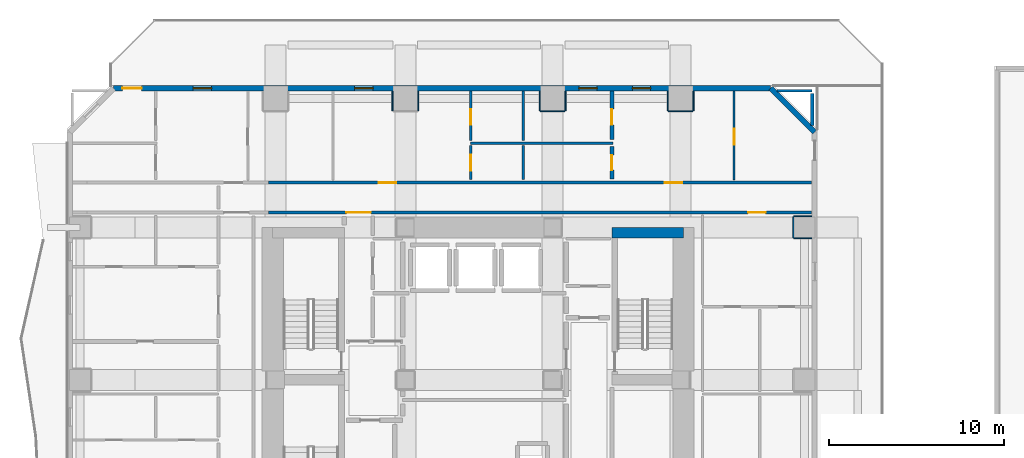
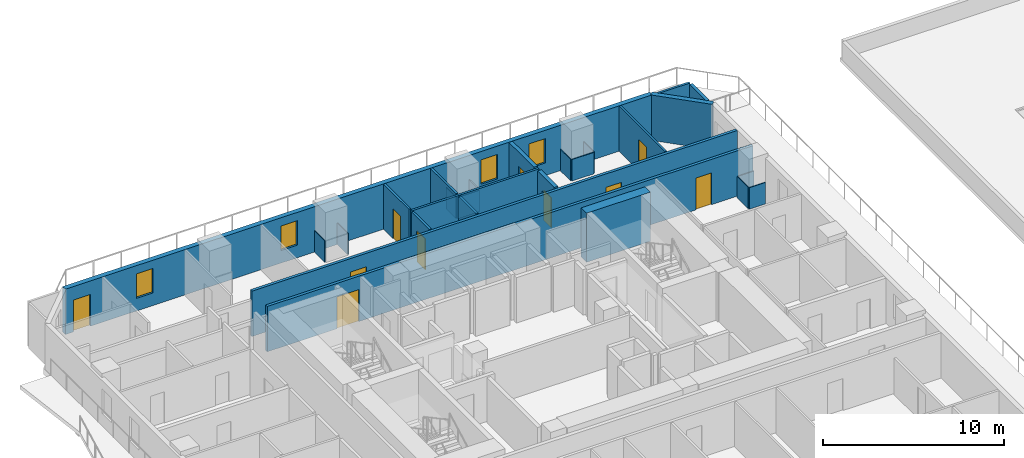
# One storey, part 8 of 13: 26 walls, 10 doors, 4 windows, 14 openings.
"""IFC4 building model written with IfcOpenShell, lengths in metres."""

from ifc_helpers import new_model, si_unit, direction, frame, frame_2d, origin, place, context, subcontext, project, spatial, rectangle, extrude, material, layer, layer_set, type_object, element, fill, save


model = new_model("IFC4")

# Units and contexts
model_context = context("Model", 3, precision=1e-05, world=origin(), true_north=direction((0.0, 1.0)))
body_context = subcontext(model_context, "Body", "Model", "MODEL_VIEW")
ifc_project = project(units=[si_unit("LENGTHUNIT", "METRE"), si_unit("AREAUNIT", "SQUARE_METRE"), si_unit("VOLUMEUNIT", "CUBIC_METRE"), si_unit("PLANEANGLEUNIT", "RADIAN"), si_unit("MASSUNIT", "GRAM", prefix="KILO")], contexts=[model_context])

# Site, building, storey
site_placement = place(None, origin())
site = spatial("IfcSite", under=ifc_project, at=site_placement, CompositionType="ELEMENT")
building_placement = place(site_placement, origin())
building = spatial("IfcBuilding", under=site, at=building_placement, Name="Solanera Arch Residences", CompositionType="ELEMENT")
storey_placement = place(building_placement, frame((0.0, 0.0, 22.0)))
storey = spatial("IfcBuildingStorey", under=building, at=storey_placement, Name="L05", CompositionType="ELEMENT", Elevation=22.0)

# Walls
ifc_material_1 = material(Name="Fire-Rated Gypsum Stud Partition", Category="gypsum")
ifc_layer_1 = layer(ifc_material_1, 0.06005859375)
ifc_layer_set_1 = layer_set([ifc_layer_1], Name="Fire-Rated Gypsum Stud Partition")
wall_type_1 = type_object("IfcWallType", Name="Column Acoustic Furring Wall 60", PredefinedType="PARTITIONING", material=ifc_layer_set_1)
for number, where, z_axis, x_axis, name in (
    (1, (20.068115234375, 46.050048828125, 0.0), (0.0, 0.0, 1.0), (0.0, 1.0, 0.0), "L05 Column Furring 12W"),
    (2, (21.531982421875, 46.050048828125, 0.0), (0.0, 0.0, 1.0), (0.0, 1.0, 0.0), "L05 Column Furring 12E"),
):
    element("IfcWall", number, at=place(storey_placement, frame(where, z_axis=z_axis, x_axis=x_axis)), inside=storey, type_object=wall_type_1, Name=name, PredefinedType="PARTITIONING", context=body_context, shape_type="SweptSolid", body=[
        extrude(rectangle(XDim=1.119873046875, YDim=0.06005859375, at=frame_2d((0.56005859375, 0.0))), origin(), (0.0, 0.0, 1.0), 1.449951171875),
    ])
wall_1_placement = place(storey_placement, frame((28.5, 46.01806640625, 0.0), z_axis=(0.0, 0.0, 1.0), x_axis=(1.0, 0.0, 0.0)))
element("IfcWall", 3, at=wall_1_placement, inside=storey, type_object=wall_type_1, Name="L05 Column Furring 14S", PredefinedType="PARTITIONING", context=body_context, shape_type="SweptSolid", body=[
    extrude(rectangle(XDim=1.39990234375, YDim=0.06005859375, at=frame_2d((0.699951171875, 0.0))), origin(), (0.0, 0.0, 1.0), 1.449951171875),
])
for number, where, z_axis, x_axis, name in (
    (4, (28.468017578125, 46.050048828125, 0.0), (0.0, 0.0, 1.0), (0.0, 1.0, 0.0), "L05 Column Furring 14W"),
    (5, (29.931884765625, 46.050048828125, 0.0), (0.0, 0.0, 1.0), (0.0, 1.0, 0.0), "L05 Column Furring 14E"),
):
    element("IfcWall", number, at=place(storey_placement, frame(where, z_axis=z_axis, x_axis=x_axis)), inside=storey, type_object=wall_type_1, Name=name, PredefinedType="PARTITIONING", context=body_context, shape_type="SweptSolid", body=[
        extrude(rectangle(XDim=1.119873046875, YDim=0.06005859375, at=frame_2d((0.56005859375, 0.0))), origin(), (0.0, 0.0, 1.0), 1.449951171875),
    ])
wall_2_placement = place(storey_placement, frame((35.800048828125, 46.01806640625, 0.0), z_axis=(0.0, 0.0, 1.0), x_axis=(1.0, 0.0, 0.0)))
element("IfcWall", 6, at=wall_2_placement, inside=storey, type_object=wall_type_1, Name="L05 Column Furring 16S", PredefinedType="PARTITIONING", context=body_context, shape_type="SweptSolid", body=[
    extrude(rectangle(XDim=1.39990234375, YDim=0.06005859375, at=frame_2d((0.699951171875, 0.0))), origin(), (0.0, 0.0, 1.0), 1.449951171875),
])
for number, where, z_axis, x_axis, name in (
    (7, (35.76806640625, 46.050048828125, 0.0), (0.0, 0.0, 1.0), (0.0, 1.0, 0.0), "L05 Column Furring 16W"),
    (8, (37.23193359375, 46.050048828125, 0.0), (0.0, 0.0, 1.0), (0.0, 1.0, 0.0), "L05 Column Furring 16E"),
):
    element("IfcWall", number, at=place(storey_placement, frame(where, z_axis=z_axis, x_axis=x_axis)), inside=storey, type_object=wall_type_1, Name=name, PredefinedType="PARTITIONING", context=body_context, shape_type="SweptSolid", body=[
        extrude(rectangle(XDim=1.119873046875, YDim=0.06005859375, at=frame_2d((0.56005859375, 0.0))), origin(), (0.0, 0.0, 1.0), 1.449951171875),
    ])
for number, where, z_axis, x_axis, name in (
    (9, (42.949951171875, 38.76806640625, 0.0), (0.0, 0.0, 1.0), (1.0, 0.0, 0.0), "L05 Column Furring 22S"),
    (10, (42.949951171875, 40.031982421875, 0.0), (0.0, 0.0, 1.0), (1.0, 0.0, 0.0), "L05 Column Furring 22N"),
):
    element("IfcWall", number, at=place(storey_placement, frame(where, z_axis=z_axis, x_axis=x_axis)), inside=storey, type_object=wall_type_1, Name=name, PredefinedType="PARTITIONING", context=body_context, shape_type="SweptSolid", body=[
        extrude(rectangle(XDim=1.02001953125, YDim=0.06005859375, at=frame_2d((0.510009765625, 0.0))), origin(), (0.0, 0.0, 1.0), 1.449951171875),
    ])
wall_3_placement = place(storey_placement, frame((42.91796875, 38.800048828125, 0.0), z_axis=(0.0, 0.0, 1.0), x_axis=(0.0, 1.0, 0.0)))
element("IfcWall", 11, at=wall_3_placement, inside=storey, type_object=wall_type_1, Name="L05 Column Furring 22W", PredefinedType="PARTITIONING", context=body_context, shape_type="SweptSolid", body=[
    extrude(rectangle(XDim=1.199951171875, YDim=0.06005859375, at=frame_2d((0.60009765625, 0.0))), origin(), (0.0, 0.0, 1.0), 1.449951171875),
])
ifc_material_2 = material(Name="Concrete C40/50 (f'c = 45 MPa)", Category="concrete")
ifc_layer_2 = layer(ifc_material_2, 0.60009765625)
ifc_layer_set_2 = layer_set([ifc_layer_2], Name="Concrete C40/50 (f'c = 45 MPa)")
wall_type_2 = type_object("IfcWallType", Name="Core Shear Wall CW-600", PredefinedType="SHEAR", material=ifc_layer_set_2)
wall_4_placement = place(storey_placement, frame((32.580078125, 39.10009765625, 0.0), z_axis=(0.0, 0.0, 1.0), x_axis=(1.0, 0.0, 0.0)))
element("IfcWall", 12, at=wall_4_placement, inside=storey, type_object=wall_type_2, Name="L05 North-East Core Shear Wall", PredefinedType="SHEAR", context=body_context, shape_type="SweptSolid", body=[
    extrude(rectangle(XDim=4.079833984375, YDim=0.60009765625, at=frame_2d((2.0400390625, 0.0))), origin(), (0.0, 0.0, 1.0), 3.320068359375),
])

# Wall, openings, doors
ifc_material_3 = material(Name="Autoclaved Aerated Concrete Blockwork", Category="masonry")
ifc_layer_3 = layer(ifc_material_3, 0.179931640625)
ifc_layer_set_3 = layer_set([ifc_layer_3], Name="Autoclaved Aerated Concrete Blockwork")
wall_type_3 = type_object("IfcWallType", Name="Corridor Fire Partition 180", PredefinedType="PARTITIONING", material=ifc_layer_set_3)
wall_5_placement = place(storey_placement, frame((12.989013671875, 40.25, 0.0), z_axis=(0.0, 0.0, 1.0), x_axis=(1.0, 0.0, 0.0)))
wall_5 = element("IfcWall", 13, at=wall_5_placement, inside=storey, type_object=wall_type_3, Name="L05 Interior Partition H12 3", PredefinedType="PARTITIONING", context=body_context, shape_type="SweptSolid", body=[
    extrude(rectangle(XDim=30.98388671875, YDim=0.179931640625, at=frame_2d((15.491943359375, 0.0))), origin(), (0.0, 0.0, 1.0), 3.06005859375),
])
opening_1_placement = place(wall_5_placement, frame((4.446044921875, 0.0, 0.0)))
opening_1 = element("IfcOpeningElement", 14, at=opening_1_placement, cuts=wall_5, Name="Opening DF-03", PredefinedType="OPENING", context=body_context, shape_type="SweptSolid", body=[
    extrude(rectangle(XDim=1.39990234375, YDim=2.14990234375, at=frame_2d((0.699951171875, 1.074951171875))), frame((0.0, 0.10009765625, 0.0), z_axis=(0.0, -1.0, 0.0), x_axis=(1.0, 0.0, 0.0)), (0.0, 0.0, 1.0), 0.1999),
])
opening_2_placement = place(wall_5_placement, frame((27.362060546875, 0.0, 0.0)))
opening_2 = element("IfcOpeningElement", 15, at=opening_2_placement, cuts=wall_5, Name="Opening DI-01", PredefinedType="OPENING", context=body_context, shape_type="SweptSolid", body=[
    extrude(rectangle(XDim=1.0, YDim=2.14990234375, at=frame_2d((0.5, 1.074951171875))), frame((0.0, 0.10009765625, 0.0), z_axis=(0.0, -1.0, 0.0), x_axis=(1.0, 0.0, 0.0)), (0.0, 0.0, 1.0), 0.1999),
])
ifc_material_4 = material(Name="Fire-Rated Architectural Hardwood", Category="wood")
door_type_1 = type_object("IfcDoorType", Name="Corridor Smoke Door DF-03", OperationType="NOTDEFINED", PredefinedType="DOOR", material=ifc_material_4)
door_1_placement = place(opening_1_placement, origin())
door_1 = element("IfcDoor", 16, at=door_1_placement, inside=storey, type_object=door_type_1, Name="DR-L05-IN-009", OperationType="SINGLE_SWING_RIGHT", OverallHeight=2.14990234375, OverallWidth=1.39990234375, PredefinedType="DOOR", context=body_context, shape_type="SweptSolid", body=[
    extrude(rectangle(XDim=1.39990234375, YDim=2.14990234375, at=frame_2d((0.699951171875, 1.074951171875))), frame((0.0, 0.02490234375, 0.0), z_axis=(0.0, -1.0, 0.0), x_axis=(1.0, 0.0, 0.0)), (0.0, 0.0, 1.0), 0.050048828125),
])
fill(opening_1, door_1)
ifc_material_5 = material(Name="Fire-Rated Architectural Hardwood", Category="wood")
door_type_2 = type_object("IfcDoorType", Name="Unit Entrance Fire Door DI-01", OperationType="NOTDEFINED", PredefinedType="DOOR", material=ifc_material_5)
door_2_placement = place(opening_2_placement, origin())
door_2 = element("IfcDoor", 17, at=door_2_placement, inside=storey, type_object=door_type_2, Name="DR-L05-IN-053", OperationType="SINGLE_SWING_RIGHT", OverallHeight=2.14990234375, OverallWidth=1.0, PredefinedType="DOOR", context=body_context, shape_type="SweptSolid", body=[
    extrude(rectangle(XDim=1.0, YDim=2.14990234375, at=frame_2d((0.5, 1.074951171875))), frame((0.0, 0.02490234375, 0.0), z_axis=(0.0, -1.0, 0.0), x_axis=(1.0, 0.0, 0.0)), (0.0, 0.0, 1.0), 0.050048828125),
])
fill(opening_2, door_2)

wall_6_placement = place(storey_placement, frame((12.989013671875, 41.949951171875, 0.0), z_axis=(0.0, 0.0, 1.0), x_axis=(1.0, 0.0, 0.0)))
wall_6 = element("IfcWall", 18, at=wall_6_placement, inside=storey, type_object=wall_type_3, Name="L05 Interior Partition H13 3", PredefinedType="PARTITIONING", context=body_context, shape_type="SweptSolid", body=[
    extrude(rectangle(XDim=30.98388671875, YDim=0.179931640625, at=frame_2d((15.491943359375, 0.0))), origin(), (0.0, 0.0, 1.0), 3.06005859375),
])
opening_3_placement = place(wall_6_placement, frame((6.306884765625, 0.0, 0.0)))
opening_3 = element("IfcOpeningElement", 19, at=opening_3_placement, cuts=wall_6, Name="Opening DI-01", PredefinedType="OPENING", context=body_context, shape_type="SweptSolid", body=[
    extrude(rectangle(XDim=1.0, YDim=2.14990234375, at=frame_2d((0.5, 1.074951171875))), frame((0.0, 0.10009765625, 0.0), z_axis=(0.0, -1.0, 0.0), x_axis=(1.0, 0.0, 0.0)), (0.0, 0.0, 1.0), 0.1999),
])
opening_4_placement = place(wall_6_placement, frame((22.60107421875, 0.0, 0.0)))
opening_4 = element("IfcOpeningElement", 20, at=opening_4_placement, cuts=wall_6, Name="Opening DI-01", PredefinedType="OPENING", context=body_context, shape_type="SweptSolid", body=[
    extrude(rectangle(XDim=1.0, YDim=2.14990234375, at=frame_2d((0.5, 1.074951171875))), frame((0.0, 0.10009765625, 0.0), z_axis=(0.0, -1.0, 0.0), x_axis=(1.0, 0.0, 0.0)), (0.0, 0.0, 1.0), 0.1999),
])
door_3_placement = place(opening_3_placement, origin())
door_3 = element("IfcDoor", 21, at=door_3_placement, inside=storey, type_object=door_type_2, Name="DR-L05-IN-035", OperationType="SINGLE_SWING_RIGHT", OverallHeight=2.14990234375, OverallWidth=1.0, PredefinedType="DOOR", context=body_context, shape_type="SweptSolid", body=[
    extrude(rectangle(XDim=1.0, YDim=2.14990234375, at=frame_2d((0.5, 1.074951171875))), frame((0.0, 0.02490234375, 0.0), z_axis=(0.0, -1.0, 0.0), x_axis=(1.0, 0.0, 0.0)), (0.0, 0.0, 1.0), 0.050048828125),
])
fill(opening_3, door_3)
door_4_placement = place(opening_4_placement, origin())
door_4 = element("IfcDoor", 22, at=door_4_placement, inside=storey, type_object=door_type_2, Name="DR-L05-IN-038", OperationType="SINGLE_SWING_LEFT", OverallHeight=2.14990234375, OverallWidth=1.0, PredefinedType="DOOR", context=body_context, shape_type="SweptSolid", body=[
    extrude(rectangle(XDim=1.0, YDim=2.14990234375, at=frame_2d((0.5, 1.074951171875))), frame((0.0, 0.02490234375, 0.0), z_axis=(0.0, -1.0, 0.0), x_axis=(1.0, 0.0, 0.0)), (0.0, 0.0, 1.0), 0.050048828125),
])
fill(opening_4, door_4)

# Wall
wall_7_placement = place(storey_placement, frame((44.0, 45.198974609375, 0.0), z_axis=(0.0, 0.0, 1.0), x_axis=(0.0, 1.0, 0.0)))
element("IfcWall", 23, at=wall_7_placement, inside=storey, type_object=wall_type_3, Name="L05 Interior Partition V10 2", PredefinedType="PARTITIONING", context=body_context, shape_type="SweptSolid", body=[
    extrude(rectangle(XDim=1.8330078125, YDim=0.179931640625, at=frame_2d((0.91650390625, 0.0))), origin(), (0.0, 0.0, 1.0), 3.06005859375),
])

# Wall, openings, door, windows
ifc_material_6 = material(Name="Precast Concrete C35/45", Category="concrete")
ifc_layer_4 = layer(ifc_material_6, 0.300048828125)
ifc_layer_set_4 = layer_set([ifc_layer_4], Name="Precast Concrete C35/45")
wall_type_4 = type_object("IfcWallType", Name="Exterior Wall Precast Masonry-Frame 300", PredefinedType="STANDARD", material=ifc_layer_set_4)
wall_8_placement = place(storey_placement, frame((4.1650390625, 47.3349609375, 0.0), z_axis=(0.0, 0.0, 1.0), x_axis=(1.0, 0.0, 0.0)))
wall_8 = element("IfcWall", 24, at=wall_8_placement, inside=storey, type_object=wall_type_4, Name="L05 Tower Exterior Precast Masonry-Frame Wall N", PredefinedType="STANDARD", context=body_context, shape_type="SweptSolid", body=[
    extrude(rectangle(XDim=37.469970703125, YDim=0.300048828125, at=frame_2d((18.73486328125, 0.0))), origin(), (0.0, 0.0, 1.0), 3.06005859375),
])
opening_5_placement = place(wall_8_placement, frame((0.5009765625, 0.0, 0.0)))
opening_5 = element("IfcOpeningElement", 25, at=opening_5_placement, cuts=wall_8, Name="Opening DB-02", PredefinedType="OPENING", context=body_context, shape_type="SweptSolid", body=[
    extrude(rectangle(XDim=1.10009765625, YDim=2.14990234375, at=frame_2d((0.550048828125, 1.074951171875))), frame((0.0, 0.159912109375, 0.0), z_axis=(0.0, -1.0, 0.0), x_axis=(1.0, 0.0, 0.0)), (0.0, 0.0, 1.0), 0.32),
])
opening_6_placement = place(wall_8_placement, frame((4.54296875, 0.0, 0.85009765625)))
opening_6 = element("IfcOpeningElement", 26, at=opening_6_placement, cuts=wall_8, Name="Opening W-07", PredefinedType="OPENING", context=body_context, shape_type="SweptSolid", body=[
    extrude(rectangle(XDim=1.050048828125, YDim=1.64990234375, at=frame_2d((0.52490234375, 0.824951171875))), frame((0.0, 0.159912109375, 0.0), z_axis=(0.0, -1.0, 0.0), x_axis=(1.0, 0.0, 0.0)), (0.0, 0.0, 1.0), 0.32),
])
opening_7_placement = place(wall_8_placement, frame((13.74609375, 0.0, 0.85009765625)))
opening_7 = element("IfcOpeningElement", 27, at=opening_7_placement, cuts=wall_8, Name="Opening W-07", PredefinedType="OPENING", context=body_context, shape_type="SweptSolid", body=[
    extrude(rectangle(XDim=1.050048828125, YDim=1.64990234375, at=frame_2d((0.52490234375, 0.824951171875))), frame((0.0, 0.159912109375, 0.0), z_axis=(0.0, -1.0, 0.0), x_axis=(1.0, 0.0, 0.0)), (0.0, 0.0, 1.0), 0.32),
])
opening_8_placement = place(wall_8_placement, frame((29.574951171875, 0.0, 0.85009765625)))
opening_8 = element("IfcOpeningElement", 28, at=opening_8_placement, cuts=wall_8, Name="Opening W-07", PredefinedType="OPENING", context=body_context, shape_type="SweptSolid", body=[
    extrude(rectangle(XDim=1.050048828125, YDim=1.64990234375, at=frame_2d((0.52490234375, 0.824951171875))), frame((0.0, 0.159912109375, 0.0), z_axis=(0.0, -1.0, 0.0), x_axis=(1.0, 0.0, 0.0)), (0.0, 0.0, 1.0), 0.32),
])
opening_9_placement = place(wall_8_placement, frame((26.52392578125, 0.0, 0.85009765625)))
opening_9 = element("IfcOpeningElement", 29, at=opening_9_placement, cuts=wall_8, Name="Opening W-07", PredefinedType="OPENING", context=body_context, shape_type="SweptSolid", body=[
    extrude(rectangle(XDim=1.050048828125, YDim=1.64990234375, at=frame_2d((0.52490234375, 0.824951171875))), frame((0.0, 0.159912109375, 0.0), z_axis=(0.0, -1.0, 0.0), x_axis=(1.0, 0.0, 0.0)), (0.0, 0.0, 1.0), 0.32),
])
ifc_material_7 = material(Name="Anodised Aluminium Alloy 6063-T6", Category="aluminium")
door_type_3 = type_object("IfcDoorType", Name="Glazed Terrace Swing Door DB-02", OperationType="NOTDEFINED", PredefinedType="DOOR", material=ifc_material_7)
door_5_placement = place(opening_5_placement, origin())
door_5 = element("IfcDoor", 30, at=door_5_placement, inside=storey, type_object=door_type_3, Name="DR-L05-OUT-01", OperationType="SINGLE_SWING_LEFT", OverallHeight=2.14990234375, OverallWidth=1.10009765625, PredefinedType="DOOR", context=body_context, shape_type="SweptSolid", body=[
    extrude(rectangle(XDim=1.10009765625, YDim=2.14990234375, at=frame_2d((0.550048828125, 1.074951171875))), frame((0.0, 0.02490234375, 0.0), z_axis=(0.0, -1.0, 0.0), x_axis=(1.0, 0.0, 0.0)), (0.0, 0.0, 1.0), 0.050048828125),
])
fill(opening_5, door_5)
ifc_material_8 = material(Name="Double Glazed Low-E Laminated Glass", Category="glass")
window_type = type_object("IfcWindowType", Name="Punched Window W-07", PartitioningType="SINGLE_PANEL", PredefinedType="WINDOW", material=ifc_material_8)
window_1_placement = place(opening_6_placement, origin())
window_1 = element("IfcWindow", 31, at=window_1_placement, inside=storey, type_object=window_type, Name="L05 0505-LIV Punched Window", OverallHeight=1.64990234375, OverallWidth=1.050048828125, PartitioningType="SINGLE_PANEL", PredefinedType="WINDOW", context=body_context, shape_type="SweptSolid", body=[
    extrude(rectangle(XDim=1.050048828125, YDim=1.64990234375, at=frame_2d((0.52490234375, 0.824951171875))), frame((0.0, 0.030029296875, 0.0), z_axis=(0.0, -1.0, 0.0), x_axis=(1.0, 0.0, 0.0)), (0.0, 0.0, 1.0), 0.06005859375),
])
fill(opening_6, window_1)
window_2_placement = place(opening_7_placement, origin())
window_2 = element("IfcWindow", 32, at=window_2_placement, inside=storey, type_object=window_type, Name="L05 0506-LIV Punched Window", OverallHeight=1.64990234375, OverallWidth=1.050048828125, PartitioningType="SINGLE_PANEL", PredefinedType="WINDOW", context=body_context, shape_type="SweptSolid", body=[
    extrude(rectangle(XDim=1.050048828125, YDim=1.64990234375, at=frame_2d((0.52490234375, 0.824951171875))), frame((0.0, 0.030029296875, 0.0), z_axis=(0.0, -1.0, 0.0), x_axis=(1.0, 0.0, 0.0)), (0.0, 0.0, 1.0), 0.06005859375),
])
fill(opening_7, window_2)
window_3_placement = place(opening_8_placement, origin())
window_3 = element("IfcWindow", 33, at=window_3_placement, inside=storey, type_object=window_type, Name="L05 0507-LIV Punched Window", OverallHeight=1.64990234375, OverallWidth=1.050048828125, PartitioningType="SINGLE_PANEL", PredefinedType="WINDOW", context=body_context, shape_type="SweptSolid", body=[
    extrude(rectangle(XDim=1.050048828125, YDim=1.64990234375, at=frame_2d((0.52490234375, 0.824951171875))), frame((0.0, 0.030029296875, 0.0), z_axis=(0.0, -1.0, 0.0), x_axis=(1.0, 0.0, 0.0)), (0.0, 0.0, 1.0), 0.06005859375),
])
fill(opening_8, window_3)
window_4_placement = place(opening_9_placement, origin())
window_4 = element("IfcWindow", 34, at=window_4_placement, inside=storey, type_object=window_type, Name="L05 0507-BR1 Punched Window", OverallHeight=1.64990234375, OverallWidth=1.050048828125, PartitioningType="SINGLE_PANEL", PredefinedType="WINDOW", context=body_context, shape_type="SweptSolid", body=[
    extrude(rectangle(XDim=1.050048828125, YDim=1.64990234375, at=frame_2d((0.52490234375, 0.824951171875))), frame((0.0, 0.030029296875, 0.0), z_axis=(0.0, -1.0, 0.0), x_axis=(1.0, 0.0, 0.0)), (0.0, 0.0, 1.0), 0.06005859375),
])
fill(opening_9, window_4)

# Wall
wall_9_placement = place(storey_placement, frame((41.635009765625, 47.3349609375, 0.0), z_axis=(0.0, 0.0, 1.0), x_axis=(0.707106781187, -0.707106781187, 0.0)))
element("IfcWall", 35, at=wall_9_placement, inside=storey, type_object=wall_type_4, Name="L05 Tower Exterior Precast Masonry-Frame Wall CH3", PredefinedType="STANDARD", context=body_context, shape_type="SweptSolid", body=[
    extrude(rectangle(XDim=3.53564453125, YDim=0.300048828125, at=frame_2d((1.767822265625, 0.0))), origin(), (0.0, 0.0, 1.0), 3.06005859375),
])

# Wall, opening, door
ifc_material_9 = material(Name="Autoclaved Aerated Concrete Blockwork", Category="masonry")
ifc_layer_5 = layer(ifc_material_9, 0.239990234375)
ifc_layer_set_5 = layer_set([ifc_layer_5], Name="Autoclaved Aerated Concrete Blockwork")
wall_type_5 = type_object("IfcWallType", Name="Shaft Wall Fire-Rated 240", PredefinedType="PARTITIONING", material=ifc_layer_set_5)
wall_10_placement = place(storey_placement, frame((32.580078125, 42.16796875, 0.0), z_axis=(0.0, 0.0, 1.0), x_axis=(0.0, 1.0, 0.0)))
wall_10 = element("IfcWall", 36, at=wall_10_placement, inside=storey, type_object=wall_type_5, Name="L05 Interior Partition V6 1", PredefinedType="PARTITIONING", context=body_context, shape_type="SweptSolid", body=[
    extrude(rectangle(XDim=1.842041015625, YDim=0.239990234375, at=frame_2d((0.9208984375, 0.0))), origin(), (0.0, 0.0, 1.0), 3.06005859375),
])
opening_10_placement = place(wall_10_placement, frame((0.493896484375, 0.0, 0.0)))
opening_10 = element("IfcOpeningElement", 37, at=opening_10_placement, cuts=wall_10, Name="Opening DI-05", PredefinedType="OPENING", context=body_context, shape_type="SweptSolid", body=[
    extrude(rectangle(XDim=0.860107421875, YDim=2.02001953125, at=frame_2d((0.43017578125, 1.010009765625))), frame((0.0, 0.1298828125, 0.0), z_axis=(0.0, -1.0, 0.0), x_axis=(1.0, 0.0, 0.0)), (0.0, 0.0, 1.0), 0.26),
])
ifc_material_10 = material(Name="Fire-Rated Architectural Hardwood", Category="wood")
door_type_4 = type_object("IfcDoorType", Name="Bathroom Swing Door DI-05", OperationType="NOTDEFINED", PredefinedType="DOOR", material=ifc_material_10)
door_6_placement = place(opening_10_placement, origin())
door_6 = element("IfcDoor", 38, at=door_6_placement, inside=storey, type_object=door_type_4, Name="DR-L05-IN-039", OperationType="SINGLE_SWING_RIGHT", OverallHeight=2.02001953125, OverallWidth=0.860107421875, PredefinedType="DOOR", context=body_context, shape_type="SweptSolid", body=[
    extrude(rectangle(XDim=0.860107421875, YDim=2.02001953125, at=frame_2d((0.43017578125, 1.010009765625))), frame((0.0, 0.02490234375, 0.0), z_axis=(0.0, -1.0, 0.0), x_axis=(1.0, 0.0, 0.0)), (0.0, 0.0, 1.0), 0.050048828125),
])
fill(opening_10, door_6)

wall_11_placement = place(storey_placement, frame((32.580078125, 44.406005859375, 0.0), z_axis=(0.0, 0.0, 1.0), x_axis=(0.0, 1.0, 0.0)))
wall_11 = element("IfcWall", 39, at=wall_11_placement, inside=storey, type_object=wall_type_5, Name="L05 Interior Partition V6 2", PredefinedType="PARTITIONING", context=body_context, shape_type="SweptSolid", body=[
    extrude(rectangle(XDim=2.76708984375, YDim=0.239990234375, at=frame_2d((1.383544921875, 0.0))), origin(), (0.0, 0.0, 1.0), 3.06005859375),
])
opening_11_placement = place(wall_11_placement, frame((0.8349609375, 0.0, 0.0)))
opening_11 = element("IfcOpeningElement", 40, at=opening_11_placement, cuts=wall_11, Name="Opening DI-03", PredefinedType="OPENING", context=body_context, shape_type="SweptSolid", body=[
    extrude(rectangle(XDim=0.89990234375, YDim=2.10009765625, at=frame_2d((0.449951171875, 1.050048828125))), frame((0.0, 0.1298828125, 0.0), z_axis=(0.0, -1.0, 0.0), x_axis=(1.0, 0.0, 0.0)), (0.0, 0.0, 1.0), 0.26),
])
ifc_material_11 = material(Name="Fire-Rated Architectural Hardwood", Category="wood")
door_type_5 = type_object("IfcDoorType", Name="Bedroom Swing Door DI-03", OperationType="NOTDEFINED", PredefinedType="DOOR", material=ifc_material_11)
door_7_placement = place(opening_11_placement, origin())
door_7 = element("IfcDoor", 41, at=door_7_placement, inside=storey, type_object=door_type_5, Name="DR-L05-IN-040", OperationType="SINGLE_SWING_LEFT", OverallHeight=2.10009765625, OverallWidth=0.89990234375, PredefinedType="DOOR", context=body_context, shape_type="SweptSolid", body=[
    extrude(rectangle(XDim=0.89990234375, YDim=2.10009765625, at=frame_2d((0.449951171875, 1.050048828125))), frame((0.0, 0.02490234375, 0.0), z_axis=(0.0, -1.0, 0.0), x_axis=(1.0, 0.0, 0.0)), (0.0, 0.0, 1.0), 0.050048828125),
])
fill(opening_11, door_7)

ifc_material_12 = material(Name="Fire-Rated Gypsum Stud Partition", Category="gypsum")
ifc_layer_6 = layer(ifc_material_12, 0.1201171875)
ifc_layer_set_6 = layer_set([ifc_layer_6], Name="Fire-Rated Gypsum Stud Partition")
wall_type_6 = type_object("IfcWallType", Name="Unit Drywall Partition 120", PredefinedType="PARTITIONING", material=ifc_layer_set_6)
wall_12_placement = place(storey_placement, frame((39.550048828125, 42.10791015625, 0.0), z_axis=(0.0, 0.0, 1.0), x_axis=(0.0, 1.0, 0.0)))
wall_12 = element("IfcWall", 42, at=wall_12_placement, inside=storey, type_object=wall_type_6, Name="L05 Interior Partition V32", PredefinedType="PARTITIONING", context=body_context, shape_type="SweptSolid", body=[
    extrude(rectangle(XDim=5.065185546875, YDim=0.1201171875, at=frame_2d((2.53271484375, 0.0))), origin(), (0.0, 0.0, 1.0), 3.06005859375),
])
opening_12_placement = place(wall_12_placement, frame((2.01708984375, 0.0, 0.0)))
opening_12 = element("IfcOpeningElement", 43, at=opening_12_placement, cuts=wall_12, Name="Opening DI-02", PredefinedType="OPENING", context=body_context, shape_type="SweptSolid", body=[
    extrude(rectangle(XDim=0.89990234375, YDim=2.10009765625, at=frame_2d((0.449951171875, 1.050048828125))), frame((0.0, 0.070068359375, 0.0), z_axis=(0.0, -1.0, 0.0), x_axis=(1.0, 0.0, 0.0)), (0.0, 0.0, 1.0), 0.1401),
])
ifc_material_13 = material(Name="Fire-Rated Architectural Hardwood", Category="wood")
door_type_6 = type_object("IfcDoorType", Name="Suite Room Swing Door DI-02", OperationType="NOTDEFINED", PredefinedType="DOOR", material=ifc_material_13)
door_8_placement = place(opening_12_placement, origin())
door_8 = element("IfcDoor", 44, at=door_8_placement, inside=storey, type_object=door_type_6, Name="DR-L05-IN-041", OperationType="SINGLE_SWING_RIGHT", OverallHeight=2.10009765625, OverallWidth=0.89990234375, PredefinedType="DOOR", context=body_context, shape_type="SweptSolid", body=[
    extrude(rectangle(XDim=0.89990234375, YDim=2.10009765625, at=frame_2d((0.449951171875, 1.050048828125))), frame((0.0, 0.02490234375, 0.0), z_axis=(0.0, -1.0, 0.0), x_axis=(1.0, 0.0, 0.0)), (0.0, 0.0, 1.0), 0.050048828125),
])
fill(opening_12, door_8)

# Walls
ifc_material_14 = material(Name="Autoclaved Aerated Concrete Blockwork", Category="masonry")
ifc_layer_7 = layer(ifc_material_14, 0.139892578125)
ifc_layer_set_7 = layer_set([ifc_layer_7], Name="Autoclaved Aerated Concrete Blockwork")
wall_type_7 = type_object("IfcWallType", Name="Wet-Room Partition 140", PredefinedType="PARTITIONING", material=ifc_layer_set_7)
wall_13_placement = place(storey_placement, frame((24.52001953125, 44.2080078125, 0.0), z_axis=(0.0, 0.0, 1.0), x_axis=(1.0, 0.0, 0.0)))
element("IfcWall", 45, at=wall_13_placement, inside=storey, type_object=wall_type_7, Name="L05 Interior Partition H26", PredefinedType="PARTITIONING", context=body_context, shape_type="SweptSolid", body=[
    extrude(rectangle(XDim=8.10888671875, YDim=0.139892578125, at=frame_2d((4.054443359375, 0.0))), origin(), (0.0, 0.0, 1.0), 3.06005859375),
])
wall_14_placement = place(storey_placement, frame((41.9990234375, 47.199951171875, 0.0), z_axis=(0.0, 0.0, 1.0), x_axis=(1.0, 0.0, 0.0)))
element("IfcWall", 46, at=wall_14_placement, inside=storey, type_object=wall_type_7, Name="L05 Interior Partition H27 2", PredefinedType="PARTITIONING", context=body_context, shape_type="SweptSolid", body=[
    extrude(rectangle(XDim=2.0009765625, YDim=0.139892578125, at=frame_2d((1.00048828125, 0.0))), origin(), (0.0, 0.0, 1.0), 3.06005859375),
])

# Wall, opening, door
wall_15_placement = place(storey_placement, frame((24.52001953125, 42.117919921875, 0.0), z_axis=(0.0, 0.0, 1.0), x_axis=(0.0, 1.0, 0.0)))
wall_15 = element("IfcWall", 47, at=wall_15_placement, inside=storey, type_object=wall_type_7, Name="L05 Interior Partition V21 1", PredefinedType="PARTITIONING", context=body_context, shape_type="SweptSolid", body=[
    extrude(rectangle(XDim=1.942138671875, YDim=0.139892578125, at=frame_2d((0.97119140625, 0.0))), origin(), (0.0, 0.0, 1.0), 3.06005859375),
])
opening_13_placement = place(wall_15_placement, frame((0.52392578125, 0.0, 0.0)))
opening_13 = element("IfcOpeningElement", 48, at=opening_13_placement, cuts=wall_15, Name="Opening DI-02", PredefinedType="OPENING", context=body_context, shape_type="SweptSolid", body=[
    extrude(rectangle(XDim=0.89990234375, YDim=2.10009765625, at=frame_2d((0.449951171875, 1.050048828125))), frame((0.0, 0.079833984375, 0.0), z_axis=(0.0, -1.0, 0.0), x_axis=(1.0, 0.0, 0.0)), (0.0, 0.0, 1.0), 0.1599),
])
door_9_placement = place(opening_13_placement, origin())
door_9 = element("IfcDoor", 49, at=door_9_placement, inside=storey, type_object=door_type_6, Name="DR-L05-IN-036", OperationType="SINGLE_SWING_LEFT", OverallHeight=2.10009765625, OverallWidth=0.89990234375, PredefinedType="DOOR", context=body_context, shape_type="SweptSolid", body=[
    extrude(rectangle(XDim=0.89990234375, YDim=2.10009765625, at=frame_2d((0.449951171875, 1.050048828125))), frame((0.0, 0.02490234375, 0.0), z_axis=(0.0, -1.0, 0.0), x_axis=(1.0, 0.0, 0.0)), (0.0, 0.0, 1.0), 0.050048828125),
])
fill(opening_13, door_9)

wall_16_placement = place(storey_placement, frame((24.52001953125, 44.35595703125, 0.0), z_axis=(0.0, 0.0, 1.0), x_axis=(0.0, 1.0, 0.0)))
wall_16 = element("IfcWall", 50, at=wall_16_placement, inside=storey, type_object=wall_type_7, Name="L05 Interior Partition V21 2", PredefinedType="PARTITIONING", context=body_context, shape_type="SweptSolid", body=[
    extrude(rectangle(XDim=2.817138671875, YDim=0.139892578125, at=frame_2d((1.40869140625, 0.0))), origin(), (0.0, 0.0, 1.0), 3.06005859375),
])
opening_14_placement = place(wall_16_placement, frame((0.905029296875, 0.0, 0.0)))
opening_14 = element("IfcOpeningElement", 51, at=opening_14_placement, cuts=wall_16, Name="Opening DI-05", PredefinedType="OPENING", context=body_context, shape_type="SweptSolid", body=[
    extrude(rectangle(XDim=0.860107421875, YDim=2.02001953125, at=frame_2d((0.43017578125, 1.010009765625))), frame((0.0, 0.079833984375, 0.0), z_axis=(0.0, -1.0, 0.0), x_axis=(1.0, 0.0, 0.0)), (0.0, 0.0, 1.0), 0.1599),
])
door_10_placement = place(opening_14_placement, origin())
door_10 = element("IfcDoor", 52, at=door_10_placement, inside=storey, type_object=door_type_4, Name="DR-L05-IN-037", OperationType="SINGLE_SWING_RIGHT", OverallHeight=2.02001953125, OverallWidth=0.860107421875, PredefinedType="DOOR", context=body_context, shape_type="SweptSolid", body=[
    extrude(rectangle(XDim=0.860107421875, YDim=2.02001953125, at=frame_2d((0.43017578125, 1.010009765625))), frame((0.0, 0.02490234375, 0.0), z_axis=(0.0, -1.0, 0.0), x_axis=(1.0, 0.0, 0.0)), (0.0, 0.0, 1.0), 0.050048828125),
])
fill(opening_14, door_10)

# Walls
wall_17_placement = place(storey_placement, frame((27.52001953125, 42.117919921875, 0.0), z_axis=(0.0, 0.0, 1.0), x_axis=(0.0, 1.0, 0.0)))
element("IfcWall", 53, at=wall_17_placement, inside=storey, type_object=wall_type_7, Name="L05 Interior Partition V23 1", PredefinedType="PARTITIONING", context=body_context, shape_type="SweptSolid", body=[
    extrude(rectangle(XDim=1.942138671875, YDim=0.139892578125, at=frame_2d((0.97119140625, 0.0))), origin(), (0.0, 0.0, 1.0), 3.06005859375),
])
wall_18_placement = place(storey_placement, frame((27.52001953125, 44.35595703125, 0.0), z_axis=(0.0, 0.0, 1.0), x_axis=(0.0, 1.0, 0.0)))
element("IfcWall", 54, at=wall_18_placement, inside=storey, type_object=wall_type_7, Name="L05 Interior Partition V23 2", PredefinedType="PARTITIONING", context=body_context, shape_type="SweptSolid", body=[
    extrude(rectangle(XDim=2.817138671875, YDim=0.139892578125, at=frame_2d((1.40869140625, 0.0))), origin(), (0.0, 0.0, 1.0), 3.06005859375),
])

save(model, "model.ifc")
